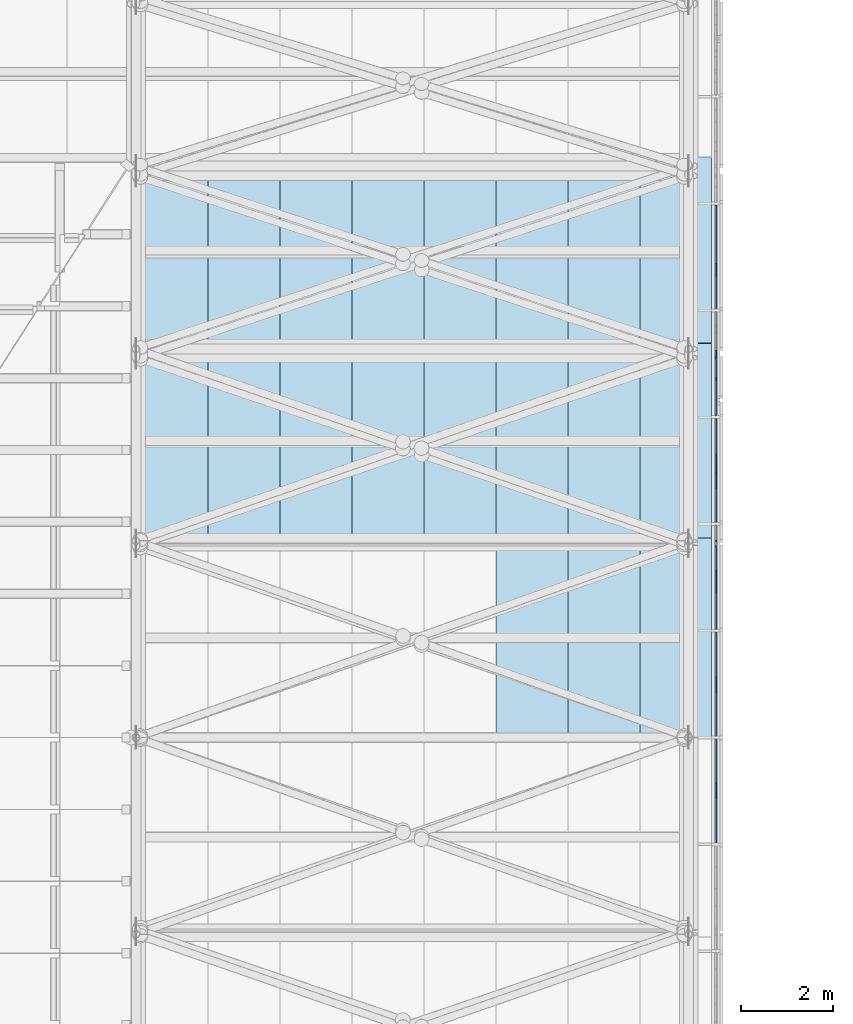
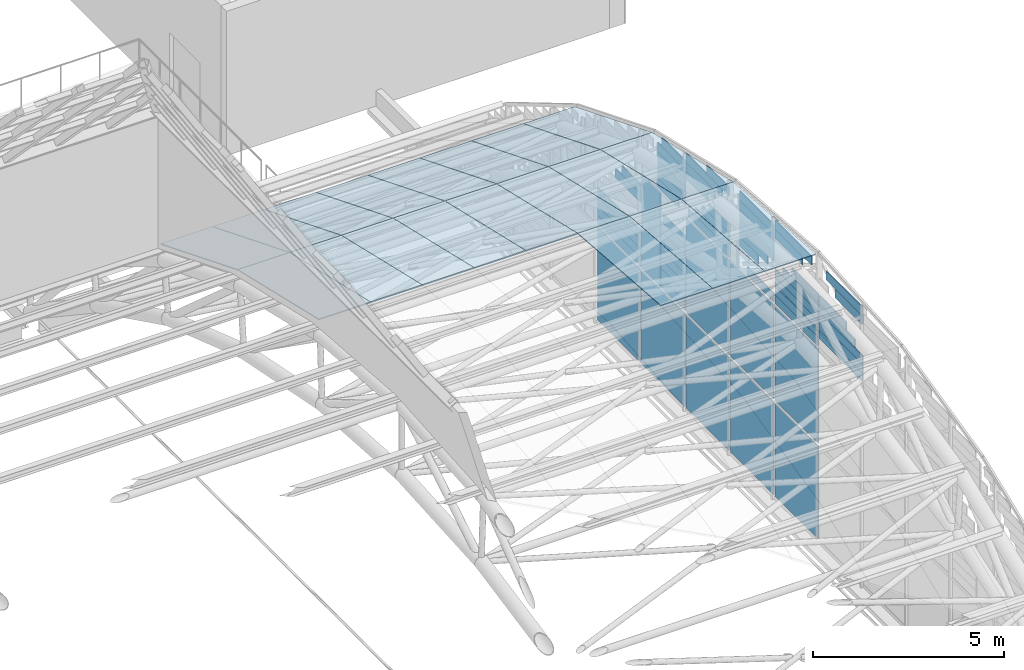
# One storey, part 65 of 110: 78 plates, 1 element without a shape of its own.
"""IFC4 building model written with IfcOpenShell, lengths in metres."""

from ifc_helpers import new_model, si_unit, direction, frame, origin, place, context, subcontext, project, spatial, polyline, outline, extrude, material, layer, layer_set, type_object, element, aggregate, save


model = new_model("IFC4")

# Units and contexts
model_context = context("Model", 3, precision=1e-05, world=origin(), true_north=direction((0.0, 1.0)))
body_context = subcontext(model_context, "Body", "Model", "MODEL_VIEW")
ifc_project = project(units=[si_unit("LENGTHUNIT", "METRE"), si_unit("AREAUNIT", "SQUARE_METRE"), si_unit("VOLUMEUNIT", "CUBIC_METRE"), si_unit("PLANEANGLEUNIT", "RADIAN"), si_unit("MASSUNIT", "GRAM", prefix="KILO")], contexts=[model_context])

# Site, building, storey
site_placement = place(None, origin())
site = spatial("IfcSite", under=ifc_project, at=site_placement, CompositionType="ELEMENT")
building_placement = place(site_placement, origin())
building = spatial("IfcBuilding", under=site, at=building_placement, Name="Windward Yard Aquatics Centre", CompositionType="ELEMENT")
storey_placement = place(building_placement, frame((0.0, 0.0, 22.60009765625)))
storey = spatial("IfcBuildingStorey", under=building, at=storey_placement, Name="L05", CompositionType="ELEMENT", Elevation=22.60009765625)

# Curtain wall, plates
ifc_material_1 = material(Name="Glass and aluminium curtain wall", Category="aluminium")
ifc_layer_1 = layer(ifc_material_1, 0.179931640625)
ifc_layer_set_1 = layer_set([ifc_layer_1], Name="H gable glazing system double glazed 8+16+8")
curtain_wall_type = type_object("IfcCurtainWallType", Name="H gable glazing system double glazed 8+16+8", PredefinedType="NOTDEFINED", material=ifc_layer_set_1)
curtain_wall_placement = place(storey_placement, origin())
curtain_wall = element("IfcCurtainWall", 1, at=curtain_wall_placement, inside=storey, type_object=curtain_wall_type, Name="Gable glazing E", PredefinedType="NOTDEFINED")
ifc_material_2 = material(Name="Low-iron glass", Category="glass")
ifc_layer_2 = layer(ifc_material_2, 0.008, Name="Outer pane")
ifc_material_3 = material(Name="Argon-filled cavity")
ifc_layer_3 = layer(ifc_material_3, 0.016, Name="Cavity")
ifc_layer_4 = layer(ifc_material_2, 0.008, Name="Inner pane")
ifc_layer_set_2 = layer_set([ifc_layer_2, ifc_layer_3, ifc_layer_4], Name="H gable glass low-e double glazed unit 32")
plate_type_1 = type_object("IfcPlateType", Name="H gable glass low-e double glazed unit 32", PredefinedType="CURTAIN_PANEL", material=ifc_layer_set_2)
plate_1_placement = place(storey_placement, frame((144.60595703125, 58.71337890625, 6.52587890625), z_axis=(1.0, 0.0, 0.0), x_axis=(0.0, 1.0, 0.0)))
plate_1 = element("IfcPlate", 2, at=plate_1_placement, type_object=plate_type_1, Name="Gable panel 9.3b", PredefinedType="CURTAIN_PANEL", context=body_context, shape_type="SweptSolid", body=[
    extrude(outline(polyline([(0.0, 0.0), (2.25415, 0.0), (2.25415, 0.275146), (0.0, 0.275146), (0.0, 0.0)])), origin(), (0.0, 0.0, -1.0), 0.031982421875),
])
plate_2_placement = place(storey_placement, frame((144.60595703125, 58.71337890625, 6.801513671875), z_axis=(1.0, 0.0, 0.0), x_axis=(0.0, 1.0, 0.0)))
plate_2 = element("IfcPlate", 3, at=plate_2_placement, type_object=plate_type_1, Name="Gable panel 9.3c", PredefinedType="CURTAIN_PANEL", context=body_context, shape_type="SweptSolid", body=[
    extrude(outline(polyline([(0.0, 0.0), (2.25415, 0.0), (2.25415, 0.275146), (0.0, 0.275146), (0.0, 0.0)])), origin(), (0.0, 0.0, -1.0), 0.031982421875),
])
plate_3_placement = place(storey_placement, frame((144.60595703125, 58.71337890625, 7.0771484375), z_axis=(1.0, 0.0, 0.0), x_axis=(0.0, 1.0, 0.0)))
plate_3 = element("IfcPlate", 4, at=plate_3_placement, type_object=plate_type_1, Name="Gable panel 9.3d", PredefinedType="CURTAIN_PANEL", context=body_context, shape_type="SweptSolid", body=[
    extrude(outline(polyline([(0.0, 0.0), (2.25415, 0.0), (2.25415, 0.275146), (0.0, 0.275146), (0.0, 0.0)])), origin(), (0.0, 0.0, -1.0), 0.031982421875),
])
plate_4_placement = place(storey_placement, frame((144.60595703125, 59.1123046875, 7.352783203125), z_axis=(1.0, 0.0, 0.0), x_axis=(0.0, 1.0, 0.0)))
plate_4 = element("IfcPlate", 5, at=plate_4_placement, type_object=plate_type_1, Name="Gable panel 9.3e", PredefinedType="CURTAIN_PANEL", context=body_context, shape_type="SweptSolid", body=[
    extrude(outline(polyline([(0.0, 0.0), (1.855225, 0.0), (1.855225, 0.275146), (0.0, 0.275146), (0.0, 0.0)])), origin(), (0.0, 0.0, -1.0), 0.031982421875),
])
plate_5_placement = place(storey_placement, frame((144.60595703125, 59.575927734375, 7.62841796875), z_axis=(1.0, 0.0, 0.0), x_axis=(0.0, 1.0, 0.0)))
plate_5 = element("IfcPlate", 6, at=plate_5_placement, type_object=plate_type_1, Name="Gable panel 9.3f", PredefinedType="CURTAIN_PANEL", context=body_context, shape_type="SweptSolid", body=[
    extrude(outline(polyline([(0.0, 0.0), (1.391602, 0.0), (1.391602, 0.275146), (0.0, 0.275146), (0.0, 0.0)])), origin(), (0.0, 0.0, -1.0), 0.031982421875),
])
plate_6_placement = place(storey_placement, frame((144.60595703125, 58.71337890625, 8.332275390625), z_axis=(1.0, 0.0, 0.0), x_axis=(0.0, 1.0, 0.0)))
plate_6 = element("IfcPlate", 7, at=plate_6_placement, type_object=plate_type_1, Name="Gable panel 9.3k", PredefinedType="CURTAIN_PANEL", context=body_context, shape_type="SweptSolid", body=[
    extrude(outline(polyline([(0.0, 0.0), (1.427246, 0.0), (1.427246, 0.282471), (0.0, 0.282471), (0.0, 0.0)])), origin(), (0.0, 0.0, -1.0), 0.031982421875),
])
plate_7_placement = place(storey_placement, frame((144.60595703125, 58.71337890625, 8.614990234375), z_axis=(1.0, 0.0, 0.0), x_axis=(0.0, 1.0, 0.0)))
plate_7 = element("IfcPlate", 8, at=plate_7_placement, type_object=plate_type_1, Name="Gable panel 9.3l", PredefinedType="CURTAIN_PANEL", context=body_context, shape_type="SweptSolid", body=[
    extrude(outline(polyline([(0.0, 0.0), (1.902832, 0.0), (1.902832, 0.282471), (0.0, 0.282471), (0.0, 0.0)])), origin(), (0.0, 0.0, -1.0), 0.031982421875),
])
plate_8_placement = place(storey_placement, frame((144.573974609375, 61.032470703125, 0.099853515625), z_axis=(-1.0, 0.0, 0.0), x_axis=(0.0, 0.0, 1.0)))
plate_8 = element("IfcPlate", 9, at=plate_8_placement, type_object=plate_type_1, Name="Gable panel 10.1", PredefinedType="CURTAIN_PANEL", context=body_context, shape_type="SweptSolid", body=[
    extrude(outline(polyline([(0.0, 0.0), (2.949951, 0.0), (2.949951, 2.25415), (0.0, 2.25415), (0.0, 0.0)])), origin(), (0.0, 0.0, -1.0), 0.031982421875),
])
plate_9_placement = place(storey_placement, frame((144.573974609375, 61.032470703125, 3.14990234375), z_axis=(-1.0, 0.0, 0.0), x_axis=(0.0, 0.0, 1.0)))
plate_9 = element("IfcPlate", 10, at=plate_9_placement, type_object=plate_type_1, Name="Gable panel 10.2", PredefinedType="CURTAIN_PANEL", context=body_context, shape_type="SweptSolid", body=[
    extrude(outline(polyline([(0.0, 0.0), (3.0, 0.0), (3.0, 2.25415), (0.0, 2.25415), (0.0, 0.0)])), origin(), (0.0, 0.0, -1.0), 0.031982421875),
])
plate_10_placement = place(storey_placement, frame((144.60595703125, 61.032470703125, 6.25), z_axis=(1.0, 0.0, 0.0), x_axis=(0.0, 1.0, 0.0)))
plate_10 = element("IfcPlate", 11, at=plate_10_placement, type_object=plate_type_1, Name="Gable panel 10.3a", PredefinedType="CURTAIN_PANEL", context=body_context, shape_type="SweptSolid", body=[
    extrude(outline(polyline([(0.0, 0.0), (2.25415, 0.0), (2.25415, 0.275391), (0.0, 0.275391), (0.0, 0.0)])), origin(), (0.0, 0.0, -1.0), 0.031982421875),
])
plate_11_placement = place(storey_placement, frame((144.60595703125, 61.032470703125, 6.52587890625), z_axis=(1.0, 0.0, 0.0), x_axis=(0.0, 1.0, 0.0)))
plate_11 = element("IfcPlate", 12, at=plate_11_placement, type_object=plate_type_1, Name="Gable panel 10.3b", PredefinedType="CURTAIN_PANEL", context=body_context, shape_type="SweptSolid", body=[
    extrude(outline(polyline([(0.0, 0.0), (2.25415, 0.0), (2.25415, 0.275146), (0.0, 0.275146), (0.0, 0.0)])), origin(), (0.0, 0.0, -1.0), 0.031982421875),
])
plate_12_placement = place(storey_placement, frame((144.60595703125, 61.032470703125, 6.801513671875), z_axis=(1.0, 0.0, 0.0), x_axis=(0.0, 1.0, 0.0)))
plate_12 = element("IfcPlate", 13, at=plate_12_placement, type_object=plate_type_1, Name="Gable panel 10.3c", PredefinedType="CURTAIN_PANEL", context=body_context, shape_type="SweptSolid", body=[
    extrude(outline(polyline([(0.0, 0.0), (2.25415, 0.0), (2.25415, 0.275146), (0.0, 0.275146), (0.0, 0.0)])), origin(), (0.0, 0.0, -1.0), 0.031982421875),
])
plate_13_placement = place(storey_placement, frame((144.60595703125, 61.032470703125, 7.0771484375), z_axis=(1.0, 0.0, 0.0), x_axis=(0.0, 1.0, 0.0)))
plate_13 = element("IfcPlate", 14, at=plate_13_placement, type_object=plate_type_1, Name="Gable panel 10.3d", PredefinedType="CURTAIN_PANEL", context=body_context, shape_type="SweptSolid", body=[
    extrude(outline(polyline([(0.0, 0.0), (2.25415, 0.0), (2.25415, 0.275146), (0.0, 0.275146), (0.0, 0.0)])), origin(), (0.0, 0.0, -1.0), 0.031982421875),
])
plate_14_placement = place(storey_placement, frame((144.60595703125, 61.032470703125, 7.352783203125), z_axis=(1.0, 0.0, 0.0), x_axis=(0.0, 1.0, 0.0)))
plate_14 = element("IfcPlate", 15, at=plate_14_placement, type_object=plate_type_1, Name="Gable panel 10.3e", PredefinedType="CURTAIN_PANEL", context=body_context, shape_type="SweptSolid", body=[
    extrude(outline(polyline([(0.0, 0.0), (1.855225, 0.0), (1.855225, 0.275146), (0.0, 0.275146), (0.0, 0.0)])), origin(), (0.0, 0.0, -1.0), 0.031982421875),
])
plate_15_placement = place(storey_placement, frame((144.60595703125, 61.032470703125, 7.62841796875), z_axis=(1.0, 0.0, 0.0), x_axis=(0.0, 1.0, 0.0)))
plate_15 = element("IfcPlate", 16, at=plate_15_placement, type_object=plate_type_1, Name="Gable panel 10.3f", PredefinedType="CURTAIN_PANEL", context=body_context, shape_type="SweptSolid", body=[
    extrude(outline(polyline([(0.0, 0.0), (1.391602, 0.0), (1.391602, 0.275146), (0.0, 0.275146), (0.0, 0.0)])), origin(), (0.0, 0.0, -1.0), 0.031982421875),
])
plate_16_placement = place(storey_placement, frame((144.60595703125, 61.859375, 8.332275390625), z_axis=(1.0, 0.0, 0.0), x_axis=(0.0, 1.0, 0.0)))
plate_16 = element("IfcPlate", 17, at=plate_16_placement, type_object=plate_type_1, Name="Gable panel 10.3k", PredefinedType="CURTAIN_PANEL", context=body_context, shape_type="SweptSolid", body=[
    extrude(outline(polyline([(0.0, 0.0), (1.427246, 0.0), (1.427246, 0.282471), (0.0, 0.282471), (0.0, 0.0)])), origin(), (0.0, 0.0, -1.0), 0.031982421875),
])
plate_17_placement = place(storey_placement, frame((144.60595703125, 61.3837890625, 8.614990234375), z_axis=(1.0, 0.0, 0.0), x_axis=(0.0, 1.0, 0.0)))
plate_17 = element("IfcPlate", 18, at=plate_17_placement, type_object=plate_type_1, Name="Gable panel 10.3l", PredefinedType="CURTAIN_PANEL", context=body_context, shape_type="SweptSolid", body=[
    extrude(outline(polyline([(0.0, 0.0), (1.902832, 0.0), (1.902832, 0.282471), (0.0, 0.282471), (0.0, 0.0)])), origin(), (0.0, 0.0, -1.0), 0.031982421875),
])
plate_18_placement = place(storey_placement, frame((144.573974609375, 63.351806640625, 0.099853515625), z_axis=(-1.0, 0.0, 0.0), x_axis=(0.0, 0.0, 1.0)))
plate_18 = element("IfcPlate", 19, at=plate_18_placement, type_object=plate_type_1, Name="Gable panel 11.1", PredefinedType="CURTAIN_PANEL", context=body_context, shape_type="SweptSolid", body=[
    extrude(outline(polyline([(0.0, 0.0), (2.949951, 0.0), (2.949951, 2.25415), (0.0, 2.25415), (0.0, 0.0)])), origin(), (0.0, 0.0, -1.0), 0.031982421875),
])
plate_19_placement = place(storey_placement, frame((144.573974609375, 63.351806640625, 3.14990234375), z_axis=(-1.0, 0.0, 0.0), x_axis=(0.0, 0.0, 1.0)))
plate_19 = element("IfcPlate", 20, at=plate_19_placement, type_object=plate_type_1, Name="Gable panel 11.2", PredefinedType="CURTAIN_PANEL", context=body_context, shape_type="SweptSolid", body=[
    extrude(outline(polyline([(0.0, 0.0), (3.0, 0.0), (3.0, 2.25415), (0.0, 2.25415), (0.0, 0.0)])), origin(), (0.0, 0.0, -1.0), 0.031982421875),
])
plate_20_placement = place(storey_placement, frame((144.60595703125, 63.351806640625, 6.25), z_axis=(1.0, 0.0, 0.0), x_axis=(0.0, 1.0, 0.0)))
plate_20 = element("IfcPlate", 21, at=plate_20_placement, type_object=plate_type_1, Name="Gable panel 11.3p", PredefinedType="CURTAIN_PANEL", context=body_context, shape_type="SweptSolid", body=[
    extrude(outline(polyline([(0.0, 0.0), (1.391113, 0.0), (1.391113, 0.275391), (0.0, 0.275391), (0.0, 0.0)])), origin(), (0.0, 0.0, -1.0), 0.031982421875),
])
plate_21_placement = place(storey_placement, frame((144.60595703125, 64.16015625, 6.96484375), z_axis=(1.0, 0.0, 0.0), x_axis=(0.0, 1.0, 0.0)))
plate_21 = element("IfcPlate", 22, at=plate_21_placement, type_object=plate_type_1, Name="Gable panel 11.3t", PredefinedType="CURTAIN_PANEL", context=body_context, shape_type="SweptSolid", body=[
    extrude(outline(polyline([(0.0, 0.0), (0.97998, 0.0), (0.97998, 0.290771), (0.0, 0.290771), (0.0, 0.0)])), origin(), (0.0, 0.0, -1.0), 0.031982421875),
])
plate_22_placement = place(storey_placement, frame((144.60595703125, 63.670166015625, 7.255859375), z_axis=(1.0, 0.0, 0.0), x_axis=(0.0, 1.0, 0.0)))
plate_22 = element("IfcPlate", 23, at=plate_22_placement, type_object=plate_type_1, Name="Gable panel 11.3u", PredefinedType="CURTAIN_PANEL", context=body_context, shape_type="SweptSolid", body=[
    extrude(outline(polyline([(0.0, 0.0), (1.469971, 0.0), (1.469971, 0.290771), (0.0, 0.290771), (0.0, 0.0)])), origin(), (0.0, 0.0, -1.0), 0.031982421875),
])
plate_23_placement = place(storey_placement, frame((144.60595703125, 63.351806640625, 7.547119140625), z_axis=(1.0, 0.0, 0.0), x_axis=(0.0, 1.0, 0.0)))
plate_23 = element("IfcPlate", 24, at=plate_23_placement, type_object=plate_type_1, Name="Gable panel 11.3v", PredefinedType="CURTAIN_PANEL", context=body_context, shape_type="SweptSolid", body=[
    extrude(outline(polyline([(0.0, 0.0), (1.78833, 0.0), (1.78833, 0.290771), (0.0, 0.290771), (0.0, 0.0)])), origin(), (0.0, 0.0, -1.0), 0.031982421875),
])
plate_24_placement = place(storey_placement, frame((144.60595703125, 63.351806640625, 7.83837890625), z_axis=(1.0, 0.0, 0.0), x_axis=(0.0, 1.0, 0.0)))
plate_24 = element("IfcPlate", 25, at=plate_24_placement, type_object=plate_type_1, Name="Gable panel 11.3w", PredefinedType="CURTAIN_PANEL", context=body_context, shape_type="SweptSolid", body=[
    extrude(outline(polyline([(0.0, 0.0), (1.78833, 0.0), (1.78833, 0.290771), (0.0, 0.290771), (0.0, 0.0)])), origin(), (0.0, 0.0, -1.0), 0.031982421875),
])
plate_25_placement = place(storey_placement, frame((144.60595703125, 63.351806640625, 8.12939453125), z_axis=(1.0, 0.0, 0.0), x_axis=(0.0, 1.0, 0.0)))
plate_25 = element("IfcPlate", 26, at=plate_25_placement, type_object=plate_type_1, Name="Gable panel 11.3x", PredefinedType="CURTAIN_PANEL", context=body_context, shape_type="SweptSolid", body=[
    extrude(outline(polyline([(0.0, 0.0), (1.78833, 0.0), (1.78833, 0.290771), (0.0, 0.290771), (0.0, 0.0)])), origin(), (0.0, 0.0, -1.0), 0.031982421875),
])
plate_26_placement = place(storey_placement, frame((144.60595703125, 63.351806640625, 8.420654296875), z_axis=(1.0, 0.0, 0.0), x_axis=(0.0, 1.0, 0.0)))
plate_26 = element("IfcPlate", 27, at=plate_26_placement, type_object=plate_type_1, Name="Gable panel 11.3y", PredefinedType="CURTAIN_PANEL", context=body_context, shape_type="SweptSolid", body=[
    extrude(outline(polyline([(0.0, 0.0), (1.78833, 0.0), (1.78833, 0.290771), (0.0, 0.290771), (0.0, 0.0)])), origin(), (0.0, 0.0, -1.0), 0.031982421875),
])
plate_27_placement = place(storey_placement, frame((144.573974609375, 65.6708984375, 0.099853515625), z_axis=(-1.0, 0.0, 0.0), x_axis=(0.0, 0.0, 1.0)))
plate_27 = element("IfcPlate", 28, at=plate_27_placement, type_object=plate_type_1, Name="Gable panel 12.1", PredefinedType="CURTAIN_PANEL", context=body_context, shape_type="SweptSolid", body=[
    extrude(outline(polyline([(0.0, 0.0), (2.949951, 0.0), (2.949951, 2.254395), (0.0, 2.254395), (0.0, 0.0)])), origin(), (0.0, 0.0, -1.0), 0.031982421875),
])
plate_28_placement = place(storey_placement, frame((144.573974609375, 65.6708984375, 3.14990234375), z_axis=(-1.0, 0.0, 0.0), x_axis=(0.0, 0.0, 1.0)))
plate_28 = element("IfcPlate", 29, at=plate_28_placement, type_object=plate_type_1, Name="Gable panel 12.2", PredefinedType="CURTAIN_PANEL", context=body_context, shape_type="SweptSolid", body=[
    extrude(outline(polyline([(0.0, 0.0), (3.0, 0.0), (3.0, 2.254395), (0.0, 2.254395), (0.0, 0.0)])), origin(), (0.0, 0.0, -1.0), 0.031982421875),
])
plate_29_placement = place(storey_placement, frame((144.60595703125, 65.6708984375, 6.25), z_axis=(1.0, 0.0, 0.0), x_axis=(0.0, 1.0, 0.0)))
plate_29 = element("IfcPlate", 30, at=plate_29_placement, type_object=plate_type_1, Name="Gable panel 12.3a", PredefinedType="CURTAIN_PANEL", context=body_context, shape_type="SweptSolid", body=[
    extrude(outline(polyline([(0.0, 0.0), (2.15625, 0.0), (2.15625, 0.266846), (0.0, 0.266846), (0.0, 0.0)])), origin(), (0.0, 0.0, -1.0), 0.031982421875),
])
plate_30_placement = place(storey_placement, frame((144.60595703125, 65.6708984375, 6.517333984375), z_axis=(1.0, 0.0, 0.0), x_axis=(0.0, 1.0, 0.0)))
plate_30 = element("IfcPlate", 31, at=plate_30_placement, type_object=plate_type_1, Name="Gable panel 12.3b", PredefinedType="CURTAIN_PANEL", context=body_context, shape_type="SweptSolid", body=[
    extrude(outline(polyline([(0.0, 0.0), (1.796875, 0.0), (1.796875, 0.266846), (0.0, 0.266846), (0.0, 0.0)])), origin(), (0.0, 0.0, -1.0), 0.031982421875),
])
plate_31_placement = place(storey_placement, frame((144.60595703125, 65.6708984375, 6.78466796875), z_axis=(1.0, 0.0, 0.0), x_axis=(0.0, 1.0, 0.0)))
plate_31 = element("IfcPlate", 32, at=plate_31_placement, type_object=plate_type_1, Name="Gable panel 12.3c", PredefinedType="CURTAIN_PANEL", context=body_context, shape_type="SweptSolid", body=[
    extrude(outline(polyline([(0.0, 0.0), (1.437744, 0.0), (1.437744, 0.266846), (0.0, 0.266846), (0.0, 0.0)])), origin(), (0.0, 0.0, -1.0), 0.031982421875),
])
plate_32_placement = place(storey_placement, frame((144.60595703125, 65.6708984375, 7.0517578125), z_axis=(1.0, 0.0, 0.0), x_axis=(0.0, 1.0, 0.0)))
plate_32 = element("IfcPlate", 33, at=plate_32_placement, type_object=plate_type_1, Name="Gable panel 12.3d", PredefinedType="CURTAIN_PANEL", context=body_context, shape_type="SweptSolid", body=[
    extrude(outline(polyline([(0.0, 0.0), (1.078369, 0.0), (1.078369, 0.266846), (0.0, 0.266846), (0.0, 0.0)])), origin(), (0.0, 0.0, -1.0), 0.031982421875),
])
plate_33_placement = place(storey_placement, frame((144.60595703125, 66.8017578125, 7.37939453125), z_axis=(1.0, 0.0, 0.0), x_axis=(0.0, 1.0, 0.0)))
plate_33 = element("IfcPlate", 34, at=plate_33_placement, type_object=plate_type_1, Name="Gable panel 12.3i", PredefinedType="CURTAIN_PANEL", context=body_context, shape_type="SweptSolid", body=[
    extrude(outline(polyline([(0.0, 0.0), (1.123535, 0.0), (1.123535, 0.277832), (0.0, 0.277832), (0.0, 0.0)])), origin(), (0.0, 0.0, -1.0), 0.031982421875),
])
plate_34_placement = place(storey_placement, frame((144.60595703125, 66.427490234375, 7.65771484375), z_axis=(1.0, 0.0, 0.0), x_axis=(0.0, 1.0, 0.0)))
plate_34 = element("IfcPlate", 35, at=plate_34_placement, type_object=plate_type_1, Name="Gable panel 12.3j", PredefinedType="CURTAIN_PANEL", context=body_context, shape_type="SweptSolid", body=[
    extrude(outline(polyline([(0.0, 0.0), (1.497803, 0.0), (1.497803, 0.278076), (0.0, 0.278076), (0.0, 0.0)])), origin(), (0.0, 0.0, -1.0), 0.031982421875),
])
plate_35_placement = place(storey_placement, frame((144.60595703125, 66.052978515625, 7.93603515625), z_axis=(1.0, 0.0, 0.0), x_axis=(0.0, 1.0, 0.0)))
plate_35 = element("IfcPlate", 36, at=plate_35_placement, type_object=plate_type_1, Name="Gable panel 12.3k", PredefinedType="CURTAIN_PANEL", context=body_context, shape_type="SweptSolid", body=[
    extrude(outline(polyline([(0.0, 0.0), (1.872314, 0.0), (1.872314, 0.278076), (0.0, 0.278076), (0.0, 0.0)])), origin(), (0.0, 0.0, -1.0), 0.031982421875),
])
plate_36_placement = place(storey_placement, frame((144.60595703125, 65.6787109375, 8.214599609375), z_axis=(1.0, 0.0, 0.0), x_axis=(0.0, 1.0, 0.0)))
plate_36 = element("IfcPlate", 37, at=plate_36_placement, type_object=plate_type_1, Name="Gable panel 12.3l", PredefinedType="CURTAIN_PANEL", context=body_context, shape_type="SweptSolid", body=[
    extrude(outline(polyline([(0.0, 0.0), (1.186035, 0.0), (1.186035, 0.278076), (0.0, 0.278076), (0.0, 0.0)])), origin(), (0.0, 0.0, -1.0), 0.031982421875),
])
plate_37_placement = place(storey_placement, frame((144.573974609375, 67.990234375, 0.099853515625), z_axis=(-1.0, 0.0, 0.0), x_axis=(0.0, 0.0, 1.0)))
plate_37 = element("IfcPlate", 38, at=plate_37_placement, type_object=plate_type_1, Name="Gable panel 13.1", PredefinedType="CURTAIN_PANEL", context=body_context, shape_type="SweptSolid", body=[
    extrude(outline(polyline([(0.0, 0.0), (2.949951, 0.0), (2.949951, 2.25415), (0.0, 2.25415), (0.0, 0.0)])), origin(), (0.0, 0.0, -1.0), 0.031982421875),
])
plate_38_placement = place(storey_placement, frame((144.573974609375, 69.273681640625, 3.14990234375), z_axis=(-1.0, 0.0, 0.0), x_axis=(0.0, 0.0, 1.0)))
plate_38 = element("IfcPlate", 39, at=plate_38_placement, type_object=plate_type_1, Name="Gable panel 13.2a", PredefinedType="CURTAIN_PANEL", context=body_context, shape_type="SweptSolid", body=[
    extrude(outline(polyline([(0.0, 0.0), (3.0, 0.0), (3.0, 0.970703), (0.0, 0.970703), (0.0, 0.0)])), origin(), (0.0, 0.0, -1.0), 0.031982421875),
])
plate_39_placement = place(storey_placement, frame((144.60595703125, 67.990234375, 3.14990234375), z_axis=(1.0, 0.0, 0.0), x_axis=(0.0, 1.0, 0.0)))
plate_39 = element("IfcPlate", 40, at=plate_39_placement, type_object=plate_type_1, Name="Gable panel 13.2b", PredefinedType="CURTAIN_PANEL", context=body_context, shape_type="SweptSolid", body=[
    extrude(outline(polyline([(0.0, 0.0), (1.235596, 0.0), (1.235596, 0.299805), (0.0, 0.299805), (0.0, 0.0)])), origin(), (0.0, 0.0, -1.0), 0.031982421875),
])
plate_40_placement = place(storey_placement, frame((144.60595703125, 67.990234375, 3.4501953125), z_axis=(1.0, 0.0, 0.0), x_axis=(0.0, 1.0, 0.0)))
plate_40 = element("IfcPlate", 41, at=plate_40_placement, type_object=plate_type_1, Name="Gable panel 13.2c", PredefinedType="CURTAIN_PANEL", context=body_context, shape_type="SweptSolid", body=[
    extrude(outline(polyline([(0.0, 0.0), (1.235596, 0.0), (1.235596, 0.299561), (0.0, 0.299561), (0.0, 0.0)])), origin(), (0.0, 0.0, -1.0), 0.031982421875),
])
plate_41_placement = place(storey_placement, frame((144.60595703125, 67.990234375, 3.75), z_axis=(1.0, 0.0, 0.0), x_axis=(0.0, 1.0, 0.0)))
plate_41 = element("IfcPlate", 42, at=plate_41_placement, type_object=plate_type_1, Name="Gable panel 13.2d", PredefinedType="CURTAIN_PANEL", context=body_context, shape_type="SweptSolid", body=[
    extrude(outline(polyline([(0.0, 0.0), (1.235596, 0.0), (1.235596, 0.299805), (0.0, 0.299805), (0.0, 0.0)])), origin(), (0.0, 0.0, -1.0), 0.031982421875),
])
plate_42_placement = place(storey_placement, frame((144.60595703125, 67.990234375, 4.050048828125), z_axis=(1.0, 0.0, 0.0), x_axis=(0.0, 1.0, 0.0)))
plate_42 = element("IfcPlate", 43, at=plate_42_placement, type_object=plate_type_1, Name="Gable panel 13.2e", PredefinedType="CURTAIN_PANEL", context=body_context, shape_type="SweptSolid", body=[
    extrude(outline(polyline([(0.0, 0.0), (1.235596, 0.0), (1.235596, 0.299561), (0.0, 0.299561), (0.0, 0.0)])), origin(), (0.0, 0.0, -1.0), 0.031982421875),
])
plate_43_placement = place(storey_placement, frame((144.60595703125, 67.990234375, 4.35009765625), z_axis=(1.0, 0.0, 0.0), x_axis=(0.0, 1.0, 0.0)))
plate_43 = element("IfcPlate", 44, at=plate_43_placement, type_object=plate_type_1, Name="Gable panel 13.2f", PredefinedType="CURTAIN_PANEL", context=body_context, shape_type="SweptSolid", body=[
    extrude(outline(polyline([(0.0, 0.0), (1.235596, 0.0), (1.235596, 0.299561), (0.0, 0.299561), (0.0, 0.0)])), origin(), (0.0, 0.0, -1.0), 0.031982421875),
])
plate_44_placement = place(storey_placement, frame((144.60595703125, 67.990234375, 4.650146484375), z_axis=(1.0, 0.0, 0.0), x_axis=(0.0, 1.0, 0.0)))
plate_44 = element("IfcPlate", 45, at=plate_44_placement, type_object=plate_type_1, Name="Gable panel 13.2g", PredefinedType="CURTAIN_PANEL", context=body_context, shape_type="SweptSolid", body=[
    extrude(outline(polyline([(0.0, 0.0), (1.235596, 0.0), (1.235596, 0.299561), (0.0, 0.299561), (0.0, 0.0)])), origin(), (0.0, 0.0, -1.0), 0.031982421875),
])
plate_45_placement = place(storey_placement, frame((144.60595703125, 67.990234375, 4.9501953125), z_axis=(1.0, 0.0, 0.0), x_axis=(0.0, 1.0, 0.0)))
plate_45 = element("IfcPlate", 46, at=plate_45_placement, type_object=plate_type_1, Name="Gable panel 13.2h", PredefinedType="CURTAIN_PANEL", context=body_context, shape_type="SweptSolid", body=[
    extrude(outline(polyline([(0.0, 0.0), (1.235596, 0.0), (1.235596, 0.299561), (0.0, 0.299561), (0.0, 0.0)])), origin(), (0.0, 0.0, -1.0), 0.031982421875),
])
plate_46_placement = place(storey_placement, frame((144.60595703125, 67.990234375, 5.25), z_axis=(1.0, 0.0, 0.0), x_axis=(0.0, 1.0, 0.0)))
plate_46 = element("IfcPlate", 47, at=plate_46_placement, type_object=plate_type_1, Name="Gable panel 13.2i", PredefinedType="CURTAIN_PANEL", context=body_context, shape_type="SweptSolid", body=[
    extrude(outline(polyline([(0.0, 0.0), (1.137451, 0.0), (1.137451, 0.299805), (0.0, 0.299805), (0.0, 0.0)])), origin(), (0.0, 0.0, -1.0), 0.031982421875),
])
plate_47_placement = place(storey_placement, frame((144.60595703125, 68.3203125, 6.25), z_axis=(1.0, 0.0, 0.0), x_axis=(0.0, 1.0, 0.0)))
plate_47 = element("IfcPlate", 48, at=plate_47_placement, type_object=plate_type_1, Name="Gable panel 13.3k", PredefinedType="CURTAIN_PANEL", context=body_context, shape_type="SweptSolid", body=[
    extrude(outline(polyline([(0.0, 0.0), (1.090576, 0.0), (1.090576, 0.282471), (0.0, 0.282471), (0.0, 0.0)])), origin(), (0.0, 0.0, -1.0), 0.031982421875),
])
plate_48_placement = place(storey_placement, frame((144.60595703125, 67.990234375, 6.532958984375), z_axis=(1.0, 0.0, 0.0), x_axis=(0.0, 1.0, 0.0)))
plate_48 = element("IfcPlate", 49, at=plate_48_placement, type_object=plate_type_1, Name="Gable panel 13.3l", PredefinedType="CURTAIN_PANEL", context=body_context, shape_type="SweptSolid", body=[
    extrude(outline(polyline([(0.0, 0.0), (1.420654, 0.0), (1.420654, 0.282471), (0.0, 0.282471), (0.0, 0.0)])), origin(), (0.0, 0.0, -1.0), 0.031982421875),
])
plate_49_placement = place(storey_placement, frame((144.60595703125, 67.990234375, 6.81591796875), z_axis=(1.0, 0.0, 0.0), x_axis=(0.0, 1.0, 0.0)))
plate_49 = element("IfcPlate", 50, at=plate_49_placement, type_object=plate_type_1, Name="Gable panel 13.3m", PredefinedType="CURTAIN_PANEL", context=body_context, shape_type="SweptSolid", body=[
    extrude(outline(polyline([(0.0, 0.0), (1.420654, 0.0), (1.420654, 0.282471), (0.0, 0.282471), (0.0, 0.0)])), origin(), (0.0, 0.0, -1.0), 0.031982421875),
])
plate_50_placement = place(storey_placement, frame((144.60595703125, 67.990234375, 7.0986328125), z_axis=(1.0, 0.0, 0.0), x_axis=(0.0, 1.0, 0.0)))
plate_50 = element("IfcPlate", 51, at=plate_50_placement, type_object=plate_type_1, Name="Gable panel 13.3n", PredefinedType="CURTAIN_PANEL", context=body_context, shape_type="SweptSolid", body=[
    extrude(outline(polyline([(0.0, 0.0), (1.420654, 0.0), (1.420654, 0.282471), (0.0, 0.282471), (0.0, 0.0)])), origin(), (0.0, 0.0, -1.0), 0.031982421875),
])
plate_51_placement = place(storey_placement, frame((144.60595703125, 67.990234375, 7.381591796875), z_axis=(1.0, 0.0, 0.0), x_axis=(0.0, 1.0, 0.0)))
plate_51 = element("IfcPlate", 52, at=plate_51_placement, type_object=plate_type_1, Name="Gable panel 13.3o", PredefinedType="CURTAIN_PANEL", context=body_context, shape_type="SweptSolid", body=[
    extrude(outline(polyline([(0.0, 0.0), (1.420654, 0.0), (1.420654, 0.282471), (0.0, 0.282471), (0.0, 0.0)])), origin(), (0.0, 0.0, -1.0), 0.031982421875),
])
plate_52_placement = place(storey_placement, frame((144.60595703125, 67.990234375, 7.66455078125), z_axis=(1.0, 0.0, 0.0), x_axis=(0.0, 1.0, 0.0)))
plate_52 = element("IfcPlate", 53, at=plate_52_placement, type_object=plate_type_1, Name="Gable panel 13.3p", PredefinedType="CURTAIN_PANEL", context=body_context, shape_type="SweptSolid", body=[
    extrude(outline(polyline([(0.0, 0.0), (1.212891, 0.0), (1.212891, 0.282471), (0.0, 0.282471), (0.0, 0.0)])), origin(), (0.0, 0.0, -1.0), 0.031982421875),
])
plate_53_placement = place(storey_placement, frame((144.573974609375, 70.309326171875, 0.099853515625), z_axis=(-1.0, 0.0, 0.0), x_axis=(0.0, 0.0, 1.0)))
plate_53 = element("IfcPlate", 54, at=plate_53_placement, type_object=plate_type_1, Name="Gable panel 14.1", PredefinedType="CURTAIN_PANEL", context=body_context, shape_type="SweptSolid", body=[
    extrude(outline(polyline([(0.0, 0.0), (2.949951, 0.0), (2.949951, 2.254395), (0.0, 2.254395), (0.0, 0.0)])), origin(), (0.0, 0.0, -1.0), 0.031982421875),
])
plate_54_placement = place(storey_placement, frame((144.60595703125, 70.309326171875, 3.14990234375), z_axis=(1.0, 0.0, 0.0), x_axis=(0.0, 1.0, 0.0)))
plate_54 = element("IfcPlate", 55, at=plate_54_placement, type_object=plate_type_1, Name="Gable panel 14.2a", PredefinedType="CURTAIN_PANEL", context=body_context, shape_type="SweptSolid", body=[
    extrude(outline(polyline([(0.0, 0.0), (2.254395, 0.0), (2.254395, 0.293213), (0.0, 0.293213), (0.0, 0.0)])), origin(), (0.0, 0.0, -1.0), 0.031982421875),
])
plate_55_placement = place(storey_placement, frame((144.60595703125, 70.309326171875, 3.443603515625), z_axis=(1.0, 0.0, 0.0), x_axis=(0.0, 1.0, 0.0)))
plate_55 = element("IfcPlate", 56, at=plate_55_placement, type_object=plate_type_1, Name="Gable panel 14.2b", PredefinedType="CURTAIN_PANEL", context=body_context, shape_type="SweptSolid", body=[
    extrude(outline(polyline([(0.0, 0.0), (2.254395, 0.0), (2.254395, 0.292969), (0.0, 0.292969), (0.0, 0.0)])), origin(), (0.0, 0.0, -1.0), 0.031982421875),
])
plate_56_placement = place(storey_placement, frame((144.60595703125, 70.309326171875, 3.737060546875), z_axis=(1.0, 0.0, 0.0), x_axis=(0.0, 1.0, 0.0)))
plate_56 = element("IfcPlate", 57, at=plate_56_placement, type_object=plate_type_1, Name="Gable panel 14.2c", PredefinedType="CURTAIN_PANEL", context=body_context, shape_type="SweptSolid", body=[
    extrude(outline(polyline([(0.0, 0.0), (2.254395, 0.0), (2.254395, 0.292969), (0.0, 0.292969), (0.0, 0.0)])), origin(), (0.0, 0.0, -1.0), 0.031982421875),
])
plate_57_placement = place(storey_placement, frame((144.60595703125, 70.309326171875, 4.0302734375), z_axis=(1.0, 0.0, 0.0), x_axis=(0.0, 1.0, 0.0)))
plate_57 = element("IfcPlate", 58, at=plate_57_placement, type_object=plate_type_1, Name="Gable panel 14.2d", PredefinedType="CURTAIN_PANEL", context=body_context, shape_type="SweptSolid", body=[
    extrude(outline(polyline([(0.0, 0.0), (2.254395, 0.0), (2.254395, 0.293213), (0.0, 0.293213), (0.0, 0.0)])), origin(), (0.0, 0.0, -1.0), 0.031982421875),
])
plate_58_placement = place(storey_placement, frame((144.60595703125, 70.309326171875, 5.2041015625), z_axis=(1.0, 0.0, 0.0), x_axis=(0.0, 1.0, 0.0)))
plate_58 = element("IfcPlate", 59, at=plate_58_placement, type_object=plate_type_1, Name="Gable panel 14.2h", PredefinedType="CURTAIN_PANEL", context=body_context, shape_type="SweptSolid", body=[
    extrude(outline(polyline([(0.0, 0.0), (1.325439, 0.0), (1.325439, 0.292969), (0.0, 0.292969), (0.0, 0.0)])), origin(), (0.0, 0.0, -1.0), 0.031982421875),
])
plate_59_placement = place(storey_placement, frame((144.60595703125, 70.309326171875, 5.49755859375), z_axis=(1.0, 0.0, 0.0), x_axis=(0.0, 1.0, 0.0)))
plate_59 = element("IfcPlate", 60, at=plate_59_placement, type_object=plate_type_1, Name="Gable panel 14.2i", PredefinedType="CURTAIN_PANEL", context=body_context, shape_type="SweptSolid", body=[
    extrude(outline(polyline([(0.0, 0.0), (0.994141, 0.0), (0.994141, 0.292969), (0.0, 0.292969), (0.0, 0.0)])), origin(), (0.0, 0.0, -1.0), 0.031982421875),
])
aggregate(curtain_wall, [plate_1, plate_2, plate_3, plate_4, plate_5, plate_6, plate_7, plate_8, plate_9, plate_10, plate_11, plate_12, plate_13, plate_14, plate_15, plate_16, plate_17, plate_18, plate_19, plate_20, plate_21, plate_22, plate_23, plate_24, plate_25, plate_26, plate_27, plate_28, plate_29, plate_30, plate_31, plate_32, plate_33, plate_34, plate_35, plate_36, plate_37, plate_38, plate_39, plate_40, plate_41, plate_42, plate_43, plate_44, plate_45, plate_46, plate_47, plate_48, plate_49, plate_50, plate_51, plate_52, plate_53, plate_54, plate_55, plate_56, plate_57, plate_58, plate_59])

# Plates
ifc_material_4 = material(Name="Translucent multiwall polycarbonate sheet")
ifc_layer_5 = layer(ifc_material_4, 0.031982421875)
ifc_layer_set_3 = layer_set([ifc_layer_5], Name="H translucent roof sheet multiwall polycarbonate 32")
plate_type_2 = type_object("IfcPlateType", Name="H translucent roof sheet multiwall polycarbonate 32", PredefinedType="SHEET", material=ifc_layer_set_3)
for number, where, z_axis, x_axis, name in (
    (61, (139.814453125, 26.0, 0.0), (1.0, 0.0, 0.0), (0.0, 1.0, 0.0), "Daylight roof sheet bay 7 facet 6 sheet 6"),
    (62, (141.376953125, 26.0, 0.0), (1.0, 0.0, 0.0), (0.0, 1.0, 0.0), "Daylight roof sheet bay 7 facet 6 sheet 7"),
    (63, (142.939453125, 26.0, 0.0), (1.0, 0.0, 0.0), (0.0, 1.0, 0.0), "Daylight roof sheet bay 7 facet 6 sheet 8"),
):
    element("IfcPlate", number, at=place(storey_placement, frame(where, z_axis=z_axis, x_axis=x_axis)), inside=storey, type_object=plate_type_2, Name=name, PredefinedType="SHEET", context=body_context, shape_type="SweptSolid", body=[
        extrude(outline(polyline([(35.0, 9.202880859375), (39.330322265625, 8.871337890625), (39.335205078125, 8.903076171875), (35.0, 9.235107421875), (35.0, 9.202880859375)])), origin(), (0.0, 0.0, 1.0), 1.55859375),
    ])
for number, where, z_axis, x_axis, name in (
    (64, (132.001953125, 26.0, 0.0), (1.0, 0.0, 0.0), (0.0, 1.0, 0.0), "Daylight roof sheet bay 7 facet 7 sheet 1"),
    (65, (133.564453125, 26.0, 0.0), (1.0, 0.0, 0.0), (0.0, 1.0, 0.0), "Daylight roof sheet bay 7 facet 7 sheet 2"),
    (66, (135.126953125, 26.0, 0.0), (1.0, 0.0, 0.0), (0.0, 1.0, 0.0), "Daylight roof sheet bay 7 facet 7 sheet 3"),
    (67, (136.689453125, 26.0, 0.0), (1.0, 0.0, 0.0), (0.0, 1.0, 0.0), "Daylight roof sheet bay 7 facet 7 sheet 4"),
    (68, (138.251953125, 26.0, 0.0), (1.0, 0.0, 0.0), (0.0, 1.0, 0.0), "Daylight roof sheet bay 7 facet 7 sheet 5"),
    (69, (139.814453125, 26.0, 0.0), (1.0, 0.0, 0.0), (0.0, 1.0, 0.0), "Daylight roof sheet bay 7 facet 7 sheet 6"),
    (70, (141.376953125, 26.0, 0.0), (1.0, 0.0, 0.0), (0.0, 1.0, 0.0), "Daylight roof sheet bay 7 facet 7 sheet 7"),
    (71, (142.939453125, 26.0, 0.0), (1.0, 0.0, 0.0), (0.0, 1.0, 0.0), "Daylight roof sheet bay 7 facet 7 sheet 8"),
):
    element("IfcPlate", number, at=place(storey_placement, frame(where, z_axis=z_axis, x_axis=x_axis)), inside=storey, type_object=plate_type_2, Name=name, PredefinedType="SHEET", context=body_context, shape_type="SweptSolid", body=[
        extrude(outline(polyline([(39.330322265625, 8.871337890625), (43.559814453125, 7.88427734375), (43.5693359375, 7.914794921875), (39.335205078125, 8.903076171875), (39.330322265625, 8.871337890625)])), origin(), (0.0, 0.0, 1.0), 1.55859375),
    ])
for number, where, z_axis, x_axis, name in (
    (72, (132.001953125, 26.0, 0.0), (1.0, 0.0, 0.0), (0.0, 1.0, 0.0), "Daylight roof sheet bay 7 facet 8 sheet 1"),
    (73, (133.564453125, 26.0, 0.0), (1.0, 0.0, 0.0), (0.0, 1.0, 0.0), "Daylight roof sheet bay 7 facet 8 sheet 2"),
    (74, (135.126953125, 26.0, 0.0), (1.0, 0.0, 0.0), (0.0, 1.0, 0.0), "Daylight roof sheet bay 7 facet 8 sheet 3"),
    (75, (136.689453125, 26.0, 0.0), (1.0, 0.0, 0.0), (0.0, 1.0, 0.0), "Daylight roof sheet bay 7 facet 8 sheet 4"),
    (76, (138.251953125, 26.0, 0.0), (1.0, 0.0, 0.0), (0.0, 1.0, 0.0), "Daylight roof sheet bay 7 facet 8 sheet 5"),
    (77, (139.814453125, 26.0, 0.0), (1.0, 0.0, 0.0), (0.0, 1.0, 0.0), "Daylight roof sheet bay 7 facet 8 sheet 6"),
    (78, (141.376953125, 26.0, 0.0), (1.0, 0.0, 0.0), (0.0, 1.0, 0.0), "Daylight roof sheet bay 7 facet 8 sheet 7"),
    (79, (142.939453125, 26.0, 0.0), (1.0, 0.0, 0.0), (0.0, 1.0, 0.0), "Daylight roof sheet bay 7 facet 8 sheet 8"),
):
    element("IfcPlate", number, at=place(storey_placement, frame(where, z_axis=z_axis, x_axis=x_axis)), inside=storey, type_object=plate_type_2, Name=name, PredefinedType="SHEET", context=body_context, shape_type="SweptSolid", body=[
        extrude(outline(polyline([(43.559814453125, 7.88427734375), (47.58935546875, 6.2646484375), (47.603759765625, 6.29345703125), (43.5693359375, 7.914794921875), (43.559814453125, 7.88427734375)])), origin(), (0.0, 0.0, 1.0), 1.55859375),
    ])

save(model, "model.ifc")
